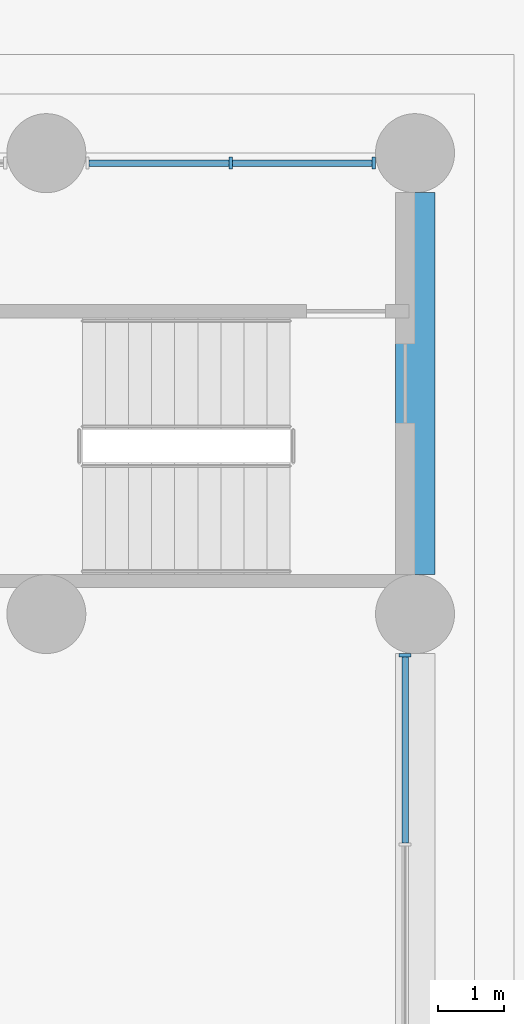
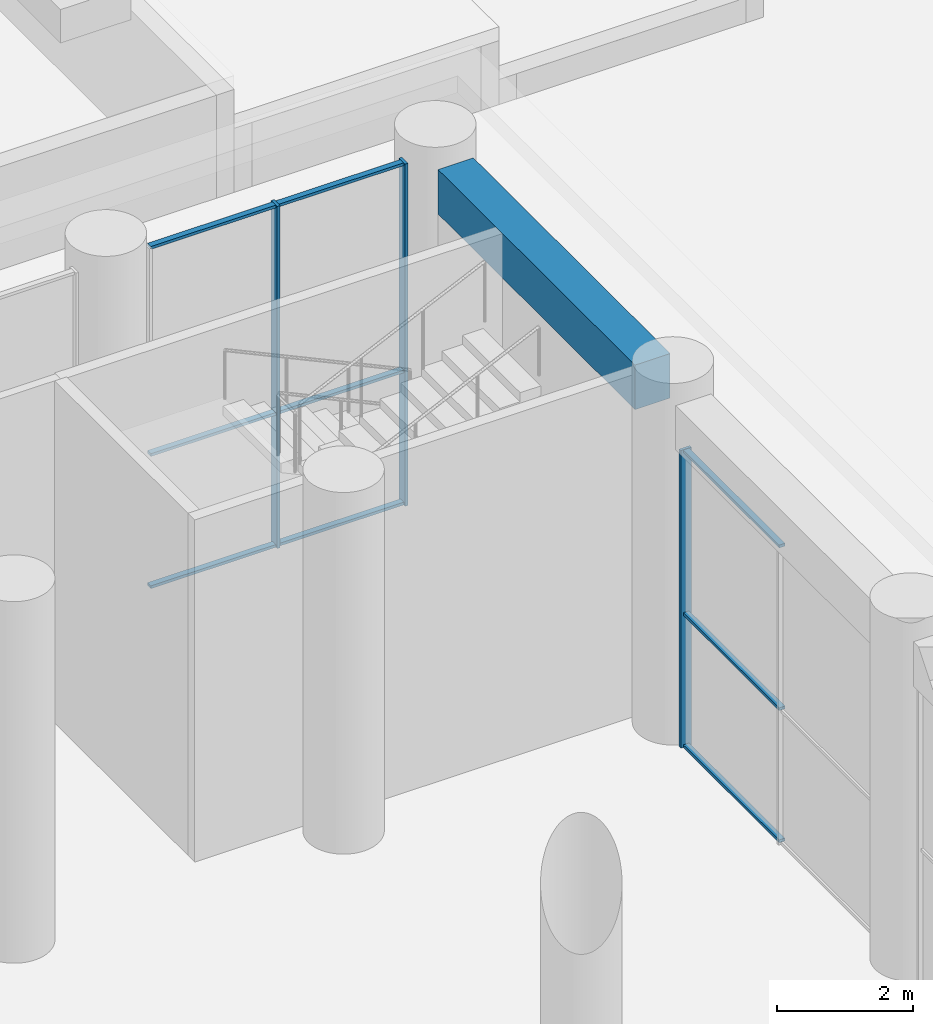
# One storey, part 18 of 51: 12 members, 1 beam, 2 elements without a shape of their own.
"""IFC4 building model written with IfcOpenShell, lengths in metres."""

import ifcopenshell
import ifcopenshell.guid

model = None  # the IFC model being written
_history = None  # IfcOwnerHistory: only IFC2X3 demands one
_inside = {}  # id of a spatial element -> (the spatial element, [elements in it])
_under = {}  # id of a project, library or spatial element -> (it, [spatial elements below it])
_declared = {}  # id of a project -> (the project, [libraries it declares])
_typed = {}  # id of a type object -> (the type object, [elements of that type])
_made_of = {}  # id of a material, layer set ... -> (it, [elements and type objects made of it])


def new_model(schema):
    """Start an empty IFC model of exactly this schema.

    Asked for "IFC4X3", IfcOpenShell would pick the latest addendum, in which some entities
    have other attributes; the version numbers below select the first issue.
    IFC2X3 requires an IfcOwnerHistory on every rooted entity: one is made here for all.
    """
    global model, _history
    if schema == "IFC4X3":
        model = ifcopenshell.file(schema_version=(4, 3, 0, 0))
    else:
        model = ifcopenshell.file(schema=schema)
    _inside.clear()
    _under.clear()
    _declared.clear()
    _typed.clear()
    _made_of.clear()
    _history = None
    if model.schema == "IFC2X3":
        org = make("IfcOrganization", Name="unknown")
        user = make(
            "IfcPersonAndOrganization",
            ThePerson=make("IfcPerson", FamilyName="unknown"),
            TheOrganization=org,
        )
        app = make(
            "IfcApplication",
            ApplicationDeveloper=org,
            Version="unknown",
            ApplicationFullName="unknown",
            ApplicationIdentifier="unknown",
        )
        _history = make(
            "IfcOwnerHistory",
            OwningUser=user,
            OwningApplication=app,
            ChangeAction="ADDED",
            CreationDate=0,
        )
    return model


def make(cls, **values):
    """One entity of the class cls with the attributes given. An attribute that is None is left unset."""
    return model.create_entity(
        cls, **{name: value for name, value in values.items() if value is not None}
    )


def rooted(cls, **values):
    """An entity with a GlobalId (a new one), such as an element, a storey or a relation."""
    return make(cls, GlobalId=ifcopenshell.guid.new(), OwnerHistory=_history, **values)


def si_unit(unit_type, name, prefix=None):
    """IfcSIUnit, for example si_unit("LENGTHUNIT", "METRE", prefix="MILLI")."""
    return make("IfcSIUnit", UnitType=unit_type, Prefix=prefix, Name=name)


def assignment(units):
    """IfcUnitAssignment: the units of a project."""
    return None if units is None else make("IfcUnitAssignment", Units=units)


def point(xyz):
    """IfcCartesianPoint."""
    return None if xyz is None else make("IfcCartesianPoint", Coordinates=xyz)


def direction(xyz):
    """IfcDirection."""
    return None if xyz is None else make("IfcDirection", DirectionRatios=xyz)


def frame(location, z_axis=None, x_axis=None):
    """IfcAxis2Placement3D, a coordinate frame: its origin and axes. An axis left out is left unset."""
    return make(
        "IfcAxis2Placement3D",
        Location=point(location),
        Axis=direction(z_axis),
        RefDirection=direction(x_axis),
    )


def frame_2d(location, x_axis=None):
    """IfcAxis2Placement2D, a coordinate frame in the plane: its origin and x axis."""
    return make(
        "IfcAxis2Placement2D", Location=point(location), RefDirection=direction(x_axis)
    )


def origin():
    """The frame at (0, 0, 0) with its axes left unset."""
    return frame((0.0, 0.0, 0.0))


def origin_2d():
    """The frame at (0, 0) in the plane with its x axis left unset."""
    return frame_2d((0.0, 0.0))


def place(relative_to, where):
    """IfcLocalPlacement: puts the frame where relative to a parent placement (None: the world)."""
    return make(
        "IfcLocalPlacement", PlacementRelTo=relative_to, RelativePlacement=where
    )


def context(
    kind, dimensions, precision=None, world=None, true_north=None, identifier=None
):
    """IfcGeometricRepresentationContext, for example the 3D "Model" context."""
    return make(
        "IfcGeometricRepresentationContext",
        ContextIdentifier=identifier,
        ContextType=kind,
        CoordinateSpaceDimension=dimensions,
        Precision=precision,
        WorldCoordinateSystem=world,
        TrueNorth=true_north,
    )


def subcontext(parent, identifier, kind, view, scale=None):
    """IfcGeometricRepresentationSubContext, for example "Body" below "Model"."""
    return make(
        "IfcGeometricRepresentationSubContext",
        ContextIdentifier=identifier,
        ContextType=kind,
        ParentContext=parent,
        TargetScale=scale,
        TargetView=view,
    )


def project(units=None, contexts=None):
    """IfcProject with its units and contexts."""
    return rooted(
        "IfcProject",
        Name="project",
        RepresentationContexts=contexts,
        UnitsInContext=assignment(units),
    )


def spatial(cls, under=None, at=None, **own):
    """A site, building, storey or space (cls), placed at a placement, below another one or the project."""
    s = rooted(cls, ObjectPlacement=at, **own)
    if under is not None:
        _under.setdefault(under.id(), (under, []))[1].append(s)
    return s


def profile(cls, at=None, kind="AREA", **sizes):
    """A parametric profile (cls). Its sizes go by their IFC names, for example OverallWidth=200.0."""
    return make(cls, ProfileType=kind, Position=at, **sizes)


def rectangle(**sizes):
    """IfcRectangleProfileDef."""
    return profile("IfcRectangleProfileDef", **sizes)


def extrude(swept, where, along, depth):
    """IfcExtrudedAreaSolid: the profile swept, set in the frame where, extruded along a direction by depth."""
    return make(
        "IfcExtrudedAreaSolid",
        SweptArea=swept,
        Position=where,
        ExtrudedDirection=direction(along),
        Depth=depth,
    )


def shape(context_of_items, identifier, shape_type, items):
    """IfcShapeRepresentation: the items that make up one representation, for example the "Body"."""
    return make(
        "IfcShapeRepresentation",
        ContextOfItems=context_of_items,
        RepresentationIdentifier=identifier,
        RepresentationType=shape_type,
        Items=items,
    )


def material(Name=None, Category=None):
    """IfcMaterial."""
    return make("IfcMaterial", Name=Name, Category=Category)


def layer(
    of_material, thickness, ventilated=None, Name=None, Category=None, Priority=None
):
    """IfcMaterialLayer: one layer of a wall or slab, of a material (None: an air gap)."""
    return make(
        "IfcMaterialLayer",
        Material=of_material,
        LayerThickness=thickness,
        IsVentilated=ventilated,
        Name=Name,
        Category=Category,
        Priority=Priority,
    )


def layer_set(layers, Name=None):
    """IfcMaterialLayerSet."""
    return make("IfcMaterialLayerSet", MaterialLayers=layers, LayerSetName=Name)


def material_profile(
    of_material, cross_section, Name=None, Category=None, Priority=None
):
    """IfcMaterialProfile: a cross section and its material."""
    return make(
        "IfcMaterialProfile",
        Name=Name,
        Material=of_material,
        Profile=cross_section,
        Priority=Priority,
        Category=Category,
    )


def profile_set(profiles, Name=None, composite=None):
    """IfcMaterialProfileSet."""
    return make(
        "IfcMaterialProfileSet",
        Name=Name,
        MaterialProfiles=profiles,
        CompositeProfile=composite,
    )


def made_of(thing, what):
    """Note that an element or type object is made of a material, layer set ...; save() writes the relation."""
    if what is not None:
        _made_of.setdefault(what.id(), (what, []))[1].append(thing)
    return thing


def type_object(cls, material=None, **own):
    """A type object (cls), such as IfcWallType, which elements share."""
    return made_of(rooted(cls, **own), material)


def element(
    cls,
    number,
    at=None,
    inside=None,
    cuts=None,
    type_object=None,
    material=None,
    context=None,
    identifier="Body",
    shape_type=None,
    held_by="IfcProductDefinitionShape",
    body=None,
    shapes=None,
    **own,
):
    """One element of the class cls, such as IfcWall. Its Tag is "e" and its number.

    at: its placement. inside: the storey or other place that contains it. cuts: it is an
    opening in that element (IfcRelVoidsElement). A single representation is given by context,
    identifier, shape_type and body (its items); several are given by shapes. held_by: the class
    of the entity that holds the representations. save() writes the other relations.
    """
    e = rooted(cls, Tag="e%d" % number, ObjectPlacement=at, **own)
    if body is not None:
        shapes = [shape(context, identifier, shape_type, body)]
    if shapes is not None:
        e.Representation = make(held_by, Representations=shapes)
    if inside is not None:
        _inside.setdefault(inside.id(), (inside, []))[1].append(e)
    if cuts is not None:
        rooted(
            "IfcRelVoidsElement", RelatingBuildingElement=cuts, RelatedOpeningElement=e
        )
    if type_object is not None:
        _typed.setdefault(type_object.id(), (type_object, []))[1].append(e)
    return made_of(e, material)


def aggregate(whole, parts):
    """IfcRelAggregates: a whole, such as a stair, and the parts it consists of."""
    return rooted("IfcRelAggregates", RelatingObject=whole, RelatedObjects=parts)


def save(model, path):
    """Write the relations noted so far, then the file.

    IfcRelAggregates (storeys below a building ...), IfcRelContainedInSpatialStructure (elements
    in a storey), IfcRelDefinesByType, IfcRelAssociatesMaterial and IfcRelDeclares: one each for
    every whole, place, type object, material and project.
    """
    for whole, parts in _under.values():
        aggregate(whole, parts)
    for where, things in _inside.values():
        rooted(
            "IfcRelContainedInSpatialStructure",
            RelatedElements=things,
            RelatingStructure=where,
        )
    for kind, things in _typed.values():
        rooted("IfcRelDefinesByType", RelatedObjects=things, RelatingType=kind)
    for what, things in _made_of.values():
        rooted("IfcRelAssociatesMaterial", RelatedObjects=things, RelatingMaterial=what)
    for by, libraries in _declared.values():
        rooted("IfcRelDeclares", RelatingContext=by, RelatedDefinitions=libraries)
    model.write(path)


model = new_model("IFC4")

# Units and contexts
model_context = context("Model", 3, precision=1e-05, world=origin(), true_north=direction((0.0, 1.0)))
body_context = subcontext(model_context, "Body", "Model", "MODEL_VIEW")
ifc_project = project(units=[si_unit("LENGTHUNIT", "METRE"), si_unit("AREAUNIT", "SQUARE_METRE"), si_unit("VOLUMEUNIT", "CUBIC_METRE"), si_unit("PLANEANGLEUNIT", "RADIAN"), si_unit("MASSUNIT", "GRAM", prefix="KILO")], contexts=[model_context])

# Site, building, storey
site_placement = place(None, origin())
site = spatial("IfcSite", under=ifc_project, at=site_placement, CompositionType="ELEMENT")
building_placement = place(site_placement, origin())
building = spatial("IfcBuilding", under=site, at=building_placement, Name="Kiln Ring Residences", CompositionType="ELEMENT")
storey_placement = place(building_placement, origin())
storey = spatial("IfcBuildingStorey", under=building, at=storey_placement, Name="L00", CompositionType="ELEMENT", Elevation=0.0)

# Curtain wall, member
ifc_material_1 = material(Name="Aluminium and glass", Category="aluminium")
ifc_layer = layer(ifc_material_1, 0.179931640625)
ifc_layer_set = layer_set([ifc_layer], Name="CW2 CURTAIN WALL")
curtain_wall_type = type_object("IfcCurtainWallType", Name="CW2 CURTAIN WALL", PredefinedType="NOTDEFINED", material=ifc_layer_set)
placement = place(storey_placement, origin())
curtain_wall_1 = element("IfcCurtainWall", 1, at=placement, inside=storey, type_object=curtain_wall_type, Name="Curtain wall CW2 L00", PredefinedType="NOTDEFINED")
ifc_material_2 = material(Name="Aluminium 6063-T6", Category="aluminium")
ifc_material_profile_1 = material_profile(ifc_material_2, rectangle(XDim=0.179931640625, YDim=0.050048828125, at=origin_2d()), Name="AL 180x50")
ifc_profile_set_1 = profile_set([ifc_material_profile_1], Name="Aluminium 6063-T6")
member_type_1 = type_object("IfcMemberType", Name="CW2 MULLION 180 x 50", PredefinedType="MULLION", material=ifc_profile_set_1)
member_1_placement = place(storey_placement, frame((44.64990234375, -30.02490234375, 0.0), z_axis=(0.0, 0.0, 1.0), x_axis=(-1.0, 0.0, 0.0)))
member_1 = element("IfcMember", 2, at=member_1_placement, type_object=member_type_1, Name="CW2 mullion 3", PredefinedType="MULLION", context=body_context, shape_type="SweptSolid", body=[
    extrude(rectangle(XDim=0.179931640625, YDim=0.050048828125, at=origin_2d()), origin(), (0.0, 0.0, 1.0), 5.35009765625),
])

# Curtain wall, members
curtain_wall_2 = element("IfcCurtainWall", 3, at=placement, inside=storey, type_object=curtain_wall_type, Name="Curtain wall CW2 L00", PredefinedType="NOTDEFINED")
member_2_placement = place(storey_placement, frame((44.175048828125, -22.550048828125, 0.0), z_axis=(0.0, 0.0, 1.0), x_axis=(0.0, -1.0, 0.0)))
member_2 = element("IfcMember", 4, at=member_2_placement, type_object=member_type_1, Name="CW2 mullion 1", PredefinedType="MULLION", context=body_context, shape_type="SweptSolid", body=[
    extrude(rectangle(XDim=0.179931640625, YDim=0.050048828125, at=origin_2d()), origin(), (0.0, 0.0, 1.0), 6.14990234375),
])
member_3_placement = place(storey_placement, frame((42.0, -22.550048828125, 0.0), z_axis=(0.0, 0.0, 1.0), x_axis=(0.0, -1.0, 0.0)))
member_3 = element("IfcMember", 5, at=member_3_placement, type_object=member_type_1, Name="CW2 mullion 2", PredefinedType="MULLION", context=body_context, shape_type="SweptSolid", body=[
    extrude(rectangle(XDim=0.179931640625, YDim=0.050048828125, at=origin_2d()), origin(), (0.0, 0.0, 1.0), 6.14990234375),
])

# Member
ifc_material_3 = material(Name="Aluminium 6063-T6", Category="aluminium")
ifc_material_profile_2 = material_profile(ifc_material_3, rectangle(XDim=0.10009765625, YDim=0.050048828125, at=origin_2d()), Name="AL 100x50")
ifc_profile_set_2 = profile_set([ifc_material_profile_2], Name="Aluminium 6063-T6")
member_type_2 = type_object("IfcMemberType", Name="CW2 TRANSOM 100 x 50", PredefinedType="USERDEFINED", material=ifc_profile_set_2)
member_4_placement = place(storey_placement, frame((44.64990234375, -32.875, 0.02490234375), z_axis=(0.0, 1.0, 0.0), x_axis=(-1.0, 0.0, 0.0)))
member_4 = element("IfcMember", 6, at=member_4_placement, type_object=member_type_2, Name="CW2 transom 2.1", ObjectType="TRANSOM", PredefinedType="USERDEFINED", context=body_context, shape_type="SweptSolid", body=[
    extrude(rectangle(XDim=0.10009765625, YDim=0.050048828125, at=origin_2d()), origin(), (0.0, 0.0, 1.0), 2.824951171875),
])

member_5_placement = place(storey_placement, frame((44.64990234375, -32.875, 2.39990234375), z_axis=(0.0, 1.0, 0.0), x_axis=(-1.0, 0.0, 0.0)))
member_5 = element("IfcMember", 7, at=member_5_placement, type_object=member_type_2, Name="CW2 transom 2.2", ObjectType="TRANSOM", PredefinedType="USERDEFINED", context=body_context, shape_type="SweptSolid", body=[
    extrude(rectangle(XDim=0.10009765625, YDim=0.050048828125, at=origin_2d()), origin(), (0.0, 0.0, 1.0), 2.824951171875),
])

member_6_placement = place(storey_placement, frame((44.64990234375, -32.875, 5.324951171875), z_axis=(0.0, 1.0, 0.0), x_axis=(-1.0, 0.0, 0.0)))
member_6 = element("IfcMember", 8, at=member_6_placement, type_object=member_type_2, Name="CW2 transom 2.3", ObjectType="TRANSOM", PredefinedType="USERDEFINED", context=body_context, shape_type="SweptSolid", body=[
    extrude(rectangle(XDim=0.10009765625, YDim=0.050048828125, at=origin_2d()), origin(), (0.0, 0.0, 1.0), 2.824951171875),
])

aggregate(curtain_wall_1, [member_1, member_4, member_5, member_6])

member_7_placement = place(storey_placement, frame((44.14990234375, -22.550048828125, 0.02490234375), z_axis=(-1.0, 0.0, 0.0), x_axis=(0.0, -1.0, 0.0)))
member_7 = element("IfcMember", 9, at=member_7_placement, type_object=member_type_2, Name="CW2 transom 1.1", ObjectType="TRANSOM", PredefinedType="USERDEFINED", context=body_context, shape_type="SweptSolid", body=[
    extrude(rectangle(XDim=0.10009765625, YDim=0.050048828125, at=origin_2d()), origin(), (0.0, 0.0, 1.0), 2.125),
])

member_8_placement = place(storey_placement, frame((44.14990234375, -22.550048828125, 2.39990234375), z_axis=(-1.0, 0.0, 0.0), x_axis=(0.0, -1.0, 0.0)))
member_8 = element("IfcMember", 10, at=member_8_placement, type_object=member_type_2, Name="CW2 transom 1.2", ObjectType="TRANSOM", PredefinedType="USERDEFINED", context=body_context, shape_type="SweptSolid", body=[
    extrude(rectangle(XDim=0.10009765625, YDim=0.050048828125, at=origin_2d()), origin(), (0.0, 0.0, 1.0), 2.125),
])

member_9_placement = place(storey_placement, frame((44.14990234375, -22.550048828125, 6.125), z_axis=(-1.0, 0.0, 0.0), x_axis=(0.0, -1.0, 0.0)))
member_9 = element("IfcMember", 11, at=member_9_placement, type_object=member_type_2, Name="CW2 transom 1.3", ObjectType="TRANSOM", PredefinedType="USERDEFINED", context=body_context, shape_type="SweptSolid", body=[
    extrude(rectangle(XDim=0.10009765625, YDim=0.050048828125, at=origin_2d()), origin(), (0.0, 0.0, 1.0), 2.125),
])

member_10_placement = place(storey_placement, frame((41.97509765625, -22.550048828125, 0.02490234375), z_axis=(-1.0, 0.0, 0.0), x_axis=(0.0, -1.0, 0.0)))
member_10 = element("IfcMember", 12, at=member_10_placement, type_object=member_type_2, Name="CW2 transom 2.1", ObjectType="TRANSOM", PredefinedType="USERDEFINED", context=body_context, shape_type="SweptSolid", body=[
    extrude(rectangle(XDim=0.10009765625, YDim=0.050048828125, at=origin_2d()), origin(), (0.0, 0.0, 1.0), 2.125),
])

member_11_placement = place(storey_placement, frame((41.97509765625, -22.550048828125, 2.39990234375), z_axis=(-1.0, 0.0, 0.0), x_axis=(0.0, -1.0, 0.0)))
member_11 = element("IfcMember", 13, at=member_11_placement, type_object=member_type_2, Name="CW2 transom 2.2", ObjectType="TRANSOM", PredefinedType="USERDEFINED", context=body_context, shape_type="SweptSolid", body=[
    extrude(rectangle(XDim=0.10009765625, YDim=0.050048828125, at=origin_2d()), origin(), (0.0, 0.0, 1.0), 2.125),
])

member_12_placement = place(storey_placement, frame((41.97509765625, -22.550048828125, 6.125), z_axis=(-1.0, 0.0, 0.0), x_axis=(0.0, -1.0, 0.0)))
member_12 = element("IfcMember", 14, at=member_12_placement, type_object=member_type_2, Name="CW2 transom 2.3", ObjectType="TRANSOM", PredefinedType="USERDEFINED", context=body_context, shape_type="SweptSolid", body=[
    extrude(rectangle(XDim=0.10009765625, YDim=0.050048828125, at=origin_2d()), origin(), (0.0, 0.0, 1.0), 2.125),
])

aggregate(curtain_wall_2, [member_2, member_3, member_7, member_8, member_9, member_10, member_11, member_12])

# Beam
ifc_material_4 = material(Name="Concrete C50/60", Category="concrete")
ifc_material_profile_3 = material_profile(ifc_material_4, rectangle(XDim=0.60009765625, YDim=0.800048828125, at=origin_2d()), Name="RC600x800")
ifc_profile_set_3 = profile_set([ifc_material_profile_3], Name="Concrete C50/60")
beam_type = type_object("IfcBeamType", Name="Ring beam RC600x800 C50/60", PredefinedType="BEAM", material=ifc_profile_set_3)
beam_placement = place(storey_placement, frame((44.800048828125, -23.0, 5.75), z_axis=(0.0, -1.0, 0.0), x_axis=(1.0, 0.0, 0.0)))
element("IfcBeam", 15, at=beam_placement, inside=storey, type_object=beam_type, Name="Ring beam L00 23", PredefinedType="BEAM", context=body_context, shape_type="SweptSolid", body=[
    extrude(rectangle(XDim=0.60009765625, YDim=0.800048828125, at=origin_2d()), origin(), (0.0, 0.0, 1.0), 5.800048828125),
])

save(model, "model.ifc")
